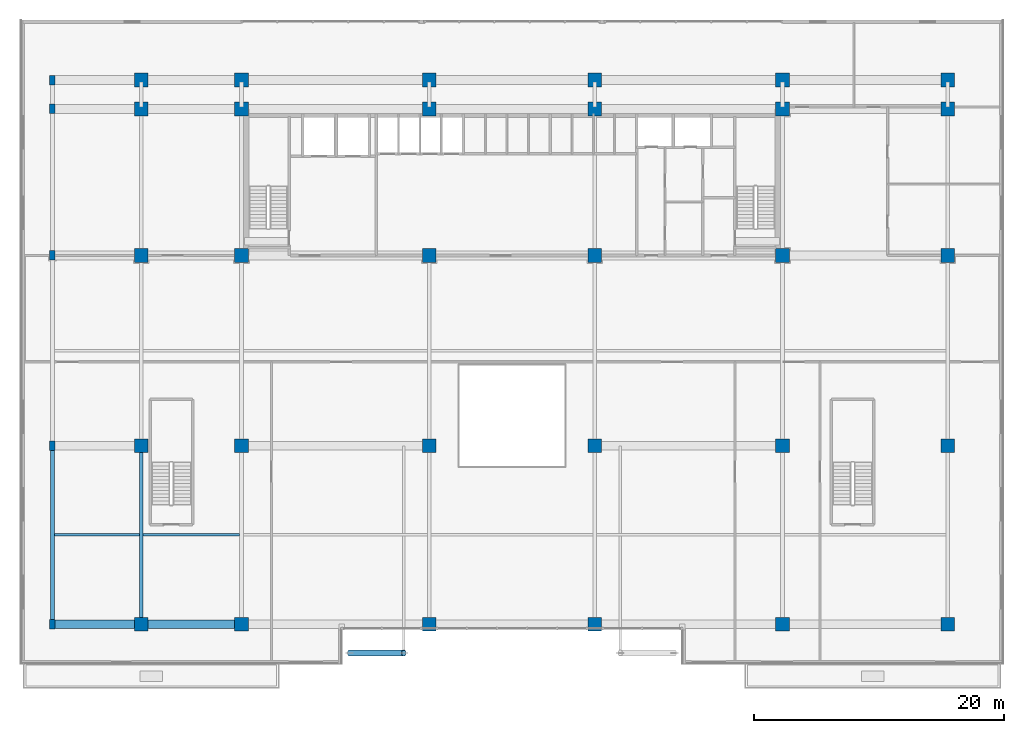
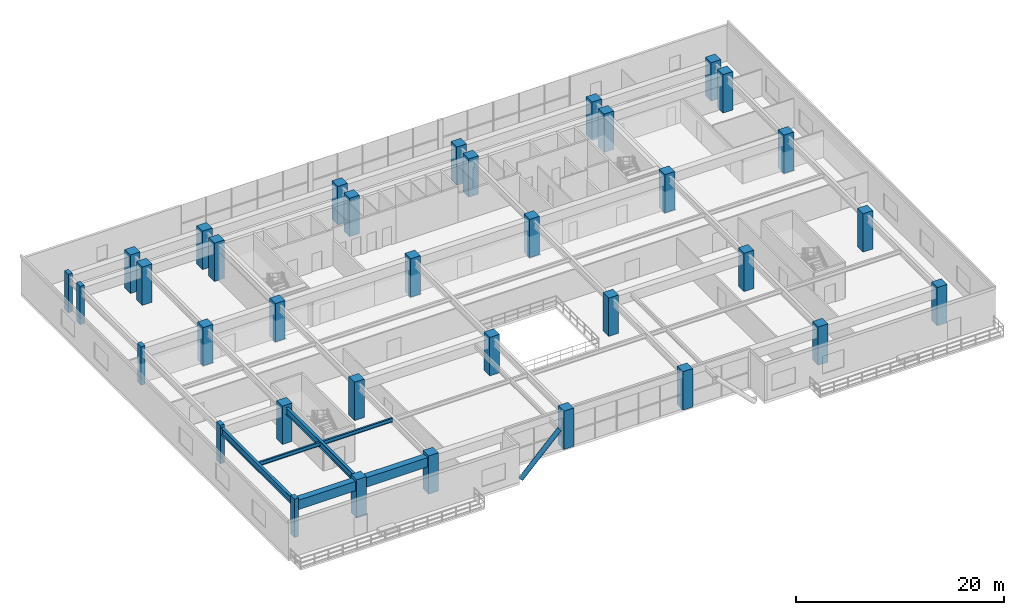
# One storey, part 1 of 24: 35 columns, 6 beams, 1 member.
"""IFC4 building model written with IfcOpenShell, lengths in metres."""

from ifc_helpers import new_model, si_unit, direction, frame, origin, origin_2d, place, context, subcontext, project, spatial, rectangle, hollow_circle, i_section, extrude, source, transform, mapped, material, material_profile, profile_set, type_object, element, save


model = new_model("IFC4")

# Units and contexts
model_context = context("Model", 3, precision=1e-05, world=origin(), true_north=direction((0.0, 1.0)))
body_context = subcontext(model_context, "Body", "Model", "MODEL_VIEW")
ifc_project = project(units=[si_unit("LENGTHUNIT", "METRE"), si_unit("AREAUNIT", "SQUARE_METRE"), si_unit("VOLUMEUNIT", "CUBIC_METRE"), si_unit("PLANEANGLEUNIT", "RADIAN"), si_unit("MASSUNIT", "GRAM", prefix="KILO")], contexts=[model_context])

# Site, building, storey
site_placement = place(None, origin())
site = spatial("IfcSite", under=ifc_project, at=site_placement, CompositionType="ELEMENT")
building_placement = place(site_placement, origin())
building = spatial("IfcBuilding", under=site, at=building_placement, Name="Trelvane Seafront Commons", CompositionType="ELEMENT")
storey_placement = place(building_placement, frame((0.0, 0.0, 9.699951171875)))
storey = spatial("IfcBuildingStorey", under=building, at=storey_placement, Name="L02", CompositionType="ELEMENT", Elevation=9.699951171875)

# Columns
ifc_material_1 = material(Name="Concrete C50/60", Category="concrete")
ifc_material_profile_1 = material_profile(ifc_material_1, rectangle(XDim=0.449951171875, YDim=0.75, at=origin_2d()), Name="RC-450x750")
ifc_profile_set_1 = profile_set([ifc_material_profile_1], Name="Concrete C50/60")
column_type_1 = type_object("IfcColumnType", Name="STR-PIL-RC450x750", PredefinedType="PILASTER", material=ifc_profile_set_1)
shared_shape_1 = source(origin(), body_context, "Body", "SweptSolid", [
    extrude(rectangle(XDim=0.449951171875, YDim=0.75, at=origin_2d()), origin(), (0.0, 0.0, 1.0), 4.5),
])
for number, where, z_axis, x_axis, name in (
    (1, (0.5, 3.949951171875, 0.0), (0.0, 0.0, 1.0), (1.0, 0.0, 0.0), "L02 Column PC-1-1"),
    (2, (0.5, 18.199951171875, 0.0), (0.0, 0.0, 1.0), (1.0, 0.0, 0.0), "L02 Column PC-1-2"),
    (3, (0.5, 33.39990234375, 0.0), (0.0, 0.0, 1.0), (1.0, 0.0, 0.0), "L02 Column PC-1-3"),
    (4, (0.5, 45.10009765625, 0.0), (0.0, 0.0, 1.0), (1.0, 0.0, 0.0), "L02 Column PC-1-4"),
    (5, (0.5, 47.39990234375, 0.0), (0.0, 0.0, 1.0), (1.0, 0.0, 0.0), "L02 Column PC-1-5"),
):
    element("IfcColumn", number, at=place(storey_placement, frame(where, z_axis=z_axis, x_axis=x_axis)), inside=storey, type_object=column_type_1, Name=name, PredefinedType="PILASTER", context=body_context, shape_type="MappedRepresentation", body=[
        mapped(shared_shape_1, transform((0.0, 0.0, 0.0), x_axis=(1.0, 0.0, 0.0), y_axis=(0.0, 1.0, 0.0), z_axis=(0.0, 0.0, 1.0), scale=1.0)),
    ])
ifc_material_2 = material(Name="Concrete C60/75", Category="concrete")
ifc_material_profile_2 = material_profile(ifc_material_2, rectangle(XDim=1.10009765625, YDim=1.10009765625, at=origin_2d()), Name="RC-1100x1100")
ifc_profile_set_2 = profile_set([ifc_material_profile_2], Name="Concrete C60/75")
column_type_2 = type_object("IfcColumnType", Name="STR-COL-RC1100", PredefinedType="COLUMN", material=ifc_profile_set_2)
shared_shape_2 = source(origin(), body_context, "Body", "SweptSolid", [
    extrude(rectangle(XDim=1.10009765625, YDim=1.10009765625, at=origin_2d()), origin(), (0.0, 0.0, 1.0), 4.5),
])
for number, where, z_axis, x_axis, name in (
    (6, (7.60009765625, 3.949951171875, 0.0), (0.0, 0.0, 1.0), (1.0, 0.0, 0.0), "L02 Column PC-2-1"),
    (7, (7.60009765625, 18.199951171875, 0.0), (0.0, 0.0, 1.0), (1.0, 0.0, 0.0), "L02 Column PC-2-2"),
    (8, (7.60009765625, 33.39990234375, 0.0), (0.0, 0.0, 1.0), (1.0, 0.0, 0.0), "L02 Column PC-2-3"),
    (9, (7.60009765625, 45.10009765625, 0.0), (0.0, 0.0, 1.0), (1.0, 0.0, 0.0), "L02 Column PC-2-4"),
    (10, (7.60009765625, 47.39990234375, 0.0), (0.0, 0.0, 1.0), (1.0, 0.0, 0.0), "L02 Column PC-2-5"),
    (11, (15.60009765625, 3.949951171875, 0.0), (0.0, 0.0, 1.0), (1.0, 0.0, 0.0), "L02 Column PC-3-1"),
    (12, (15.60009765625, 18.199951171875, 0.0), (0.0, 0.0, 1.0), (1.0, 0.0, 0.0), "L02 Column PC-3-2"),
    (13, (15.60009765625, 33.39990234375, 0.0), (0.0, 0.0, 1.0), (1.0, 0.0, 0.0), "L02 Column PC-3-3"),
    (14, (15.60009765625, 45.10009765625, 0.0), (0.0, 0.0, 1.0), (1.0, 0.0, 0.0), "L02 Column PC-3-4"),
    (15, (15.60009765625, 47.39990234375, 0.0), (0.0, 0.0, 1.0), (1.0, 0.0, 0.0), "L02 Column PC-3-5"),
    (16, (30.60009765625, 3.949951171875, 0.0), (0.0, 0.0, 1.0), (1.0, 0.0, 0.0), "L02 Column PC-4-1"),
    (17, (30.60009765625, 18.199951171875, 0.0), (0.0, 0.0, 1.0), (1.0, 0.0, 0.0), "L02 Column PC-4-2"),
    (18, (30.60009765625, 33.39990234375, 0.0), (0.0, 0.0, 1.0), (1.0, 0.0, 0.0), "L02 Column PC-4-3"),
    (19, (30.60009765625, 45.10009765625, 0.0), (0.0, 0.0, 1.0), (1.0, 0.0, 0.0), "L02 Column PC-4-4"),
    (20, (30.60009765625, 47.39990234375, 0.0), (0.0, 0.0, 1.0), (1.0, 0.0, 0.0), "L02 Column PC-4-5"),
    (21, (43.800048828125, 3.949951171875, 0.0), (0.0, 0.0, 1.0), (1.0, 0.0, 0.0), "L02 Column PC-5-1"),
    (22, (43.800048828125, 18.199951171875, 0.0), (0.0, 0.0, 1.0), (1.0, 0.0, 0.0), "L02 Column PC-5-2"),
    (23, (43.800048828125, 33.39990234375, 0.0), (0.0, 0.0, 1.0), (1.0, 0.0, 0.0), "L02 Column PC-5-3"),
    (24, (43.800048828125, 45.10009765625, 0.0), (0.0, 0.0, 1.0), (1.0, 0.0, 0.0), "L02 Column PC-5-4"),
    (25, (43.800048828125, 47.39990234375, 0.0), (0.0, 0.0, 1.0), (1.0, 0.0, 0.0), "L02 Column PC-5-5"),
    (26, (58.800048828125, 3.949951171875, 0.0), (0.0, 0.0, 1.0), (1.0, 0.0, 0.0), "L02 Column PC-6-1"),
    (27, (58.800048828125, 18.199951171875, 0.0), (0.0, 0.0, 1.0), (1.0, 0.0, 0.0), "L02 Column PC-6-2"),
    (28, (58.800048828125, 33.39990234375, 0.0), (0.0, 0.0, 1.0), (1.0, 0.0, 0.0), "L02 Column PC-6-3"),
    (29, (58.800048828125, 45.10009765625, 0.0), (0.0, 0.0, 1.0), (1.0, 0.0, 0.0), "L02 Column PC-6-4"),
    (30, (58.800048828125, 47.39990234375, 0.0), (0.0, 0.0, 1.0), (1.0, 0.0, 0.0), "L02 Column PC-6-5"),
    (31, (72.0, 3.949951171875, 0.0), (0.0, 0.0, 1.0), (1.0, 0.0, 0.0), "L02 Column PC-7-1"),
    (32, (72.0, 18.199951171875, 0.0), (0.0, 0.0, 1.0), (1.0, 0.0, 0.0), "L02 Column PC-7-2"),
    (33, (72.0, 33.39990234375, 0.0), (0.0, 0.0, 1.0), (1.0, 0.0, 0.0), "L02 Column PC-7-3"),
    (34, (72.0, 45.10009765625, 0.0), (0.0, 0.0, 1.0), (1.0, 0.0, 0.0), "L02 Column PC-7-4"),
    (35, (72.0, 47.39990234375, 0.0), (0.0, 0.0, 1.0), (1.0, 0.0, 0.0), "L02 Column PC-7-5"),
):
    element("IfcColumn", number, at=place(storey_placement, frame(where, z_axis=z_axis, x_axis=x_axis)), inside=storey, type_object=column_type_2, Name=name, PredefinedType="COLUMN", context=body_context, shape_type="MappedRepresentation", body=[
        mapped(shared_shape_2, transform((0.0, 0.0, 0.0), x_axis=(1.0, 0.0, 0.0), y_axis=(0.0, 1.0, 0.0), z_axis=(0.0, 0.0, 1.0), scale=1.0)),
    ])

# Beams
ifc_material_profile_3 = material_profile(ifc_material_1, rectangle(XDim=0.699951171875, YDim=1.10009765625, at=origin_2d()), Name="RC-700x1100")
ifc_profile_set_3 = profile_set([ifc_material_profile_3], Name="Concrete C50/60")
beam_type_1 = type_object("IfcBeamType", Name="STR-TBM-RC700x1100", PredefinedType="T_BEAM", material=ifc_profile_set_3)
shared_shape_3 = source(origin(), body_context, "Body", "SweptSolid", [
    extrude(rectangle(XDim=0.699951171875, YDim=1.10009765625, at=origin_2d()), origin(), (0.0, 0.0, 1.0), 6.83740234375),
])
beam_1_placement = place(storey_placement, frame((0.612548828125, 3.949951171875, 3.650146484375), z_axis=(1.0, 0.0, 0.0), x_axis=(0.0, 1.0, 0.0)))
element("IfcBeam", 36, at=beam_1_placement, inside=storey, type_object=beam_type_1, Name="L02 Primary Girder G-01", PredefinedType="T_BEAM", context=body_context, shape_type="MappedRepresentation", body=[
    mapped(shared_shape_3, transform((0.0, 0.0, 0.0), x_axis=(1.0, 0.0, 0.0), y_axis=(0.0, 1.0, 0.0), z_axis=(0.0, 0.0, 1.0), scale=1.0)),
])
shared_shape_4 = source(origin(), body_context, "Body", "SweptSolid", [
    extrude(rectangle(XDim=0.699951171875, YDim=1.10009765625, at=origin_2d()), origin(), (0.0, 0.0, 1.0), 7.699951171875),
])
beam_2_placement = place(storey_placement, frame((7.75, 3.949951171875, 3.650146484375), z_axis=(1.0, 0.0, 0.0), x_axis=(0.0, 1.0, 0.0)))
element("IfcBeam", 37, at=beam_2_placement, inside=storey, type_object=beam_type_1, Name="L02 Primary Girder G-02", PredefinedType="T_BEAM", context=body_context, shape_type="MappedRepresentation", body=[
    mapped(shared_shape_4, transform((0.0, 0.0, 0.0), x_axis=(1.0, 0.0, 0.0), y_axis=(0.0, 1.0, 0.0), z_axis=(0.0, 0.0, 1.0), scale=1.0)),
])
ifc_material_3 = material(Name="Steel SM355 (S355)", Category="steel")
ifc_material_profile_4 = material_profile(ifc_material_3, i_section(OverallWidth=0.300048828125, OverallDepth=0.800048828125, WebThickness=0.013916015625, FlangeThickness=0.02587890625, at=origin_2d()), Name="H-800x300x14x26")
ifc_profile_set_4 = profile_set([ifc_material_profile_4], Name="Steel SM355 (S355)")
beam_type_2 = type_object("IfcBeamType", Name="STR-BM-H800", PredefinedType="BEAM", material=ifc_profile_set_4)
shared_shape_5 = source(origin(), body_context, "Body", "SweptSolid", [
    extrude(i_section(OverallWidth=0.300048828125, OverallDepth=0.800048828125, WebThickness=0.013916015625, FlangeThickness=0.02587890625, at=origin_2d()), origin(), (0.0, 0.0, 1.0), 13.949951171875),
])
for number, where, z_axis, x_axis, name in (
    (38, (0.5, 4.10009765625, 3.800048828125), (0.0, 1.0, 0.0), (-1.0, 0.0, 0.0), "L02 Primary Girder G-31"),
    (39, (7.60009765625, 4.10009765625, 3.800048828125), (0.0, 1.0, 0.0), (-1.0, 0.0, 0.0), "L02 Primary Girder G-35"),
):
    element("IfcBeam", number, at=place(storey_placement, frame(where, z_axis=z_axis, x_axis=x_axis)), inside=storey, type_object=beam_type_2, Name=name, PredefinedType="BEAM", context=body_context, shape_type="MappedRepresentation", body=[
        mapped(shared_shape_5, transform((0.0, 0.0, 0.0), x_axis=(1.0, 0.0, 0.0), y_axis=(0.0, 1.0, 0.0), z_axis=(0.0, 0.0, 1.0), scale=1.0)),
    ])
ifc_material_profile_5 = material_profile(ifc_material_3, i_section(OverallWidth=0.199951171875, OverallDepth=0.449951171875, WebThickness=0.009033203125, FlangeThickness=0.013916015625, at=origin_2d()), Name="H-450x200x9x14")
ifc_profile_set_5 = profile_set([ifc_material_profile_5], Name="Steel SM355 (S355)")
beam_type_3 = type_object("IfcBeamType", Name="STR-JST-H450", PredefinedType="JOIST", material=ifc_profile_set_5)
shared_shape_6 = source(origin(), body_context, "Body", "SweptSolid", [
    extrude(i_section(OverallWidth=0.199951171875, OverallDepth=0.449951171875, WebThickness=0.009033203125, FlangeThickness=0.013916015625, at=origin_2d()), origin(), (0.0, 0.0, 1.0), 6.800048828125),
])
beam_3_placement = place(storey_placement, frame((0.64990234375, 11.074951171875, 3.97509765625), z_axis=(1.0, 0.0, 0.0), x_axis=(0.0, 1.0, 0.0)))
element("IfcBeam", 40, at=beam_3_placement, inside=storey, type_object=beam_type_3, Name="L02 Secondary Floor Joist B-59", PredefinedType="JOIST", context=body_context, shape_type="MappedRepresentation", body=[
    mapped(shared_shape_6, transform((0.0, 0.0, 0.0), x_axis=(1.0, 0.0, 0.0), y_axis=(0.0, 1.0, 0.0), z_axis=(0.0, 0.0, 1.0), scale=1.0)),
])
shared_shape_7 = source(origin(), body_context, "Body", "SweptSolid", [
    extrude(i_section(OverallWidth=0.199951171875, OverallDepth=0.449951171875, WebThickness=0.009033203125, FlangeThickness=0.013916015625, at=origin_2d()), origin(), (0.0, 0.0, 1.0), 7.699951171875),
])
beam_4_placement = place(storey_placement, frame((7.75, 11.074951171875, 3.97509765625), z_axis=(1.0, 0.0, 0.0), x_axis=(0.0, 1.0, 0.0)))
element("IfcBeam", 41, at=beam_4_placement, inside=storey, type_object=beam_type_3, Name="L02 Secondary Floor Joist B-60", PredefinedType="JOIST", context=body_context, shape_type="MappedRepresentation", body=[
    mapped(shared_shape_7, transform((0.0, 0.0, 0.0), x_axis=(1.0, 0.0, 0.0), y_axis=(0.0, 1.0, 0.0), z_axis=(0.0, 0.0, 1.0), scale=1.0)),
])

# Member
ifc_material_profile_6 = material_profile(ifc_material_3, hollow_circle(Radius=0.25390625, WallThickness=0.02001953125, at=origin_2d()), Name="CHS-508x20")
ifc_profile_set_6 = profile_set([ifc_material_profile_6], Name="Steel SM355 (S355)")
member_type = type_object("IfcMemberType", Name="STR-STR-CHS508", PredefinedType="STRUT", material=ifc_profile_set_6)
shared_shape_8 = source(origin(), body_context, "Body", "SweptSolid", [
    extrude(hollow_circle(Radius=0.25390625, WallThickness=0.02001953125, at=origin_2d()), origin(), (0.0, 0.0, 1.0), 6.130615234375),
])
member_placement = place(storey_placement, frame((24.239990234375, 1.64990234375, -0.349853515625), z_axis=(0.704673386832, 0.0, 0.709531830076), x_axis=(0.0, 1.0, 0.0)))
element("IfcMember", 42, at=member_placement, inside=storey, type_object=member_type, Name="L02 Base Inverted-V Portal Mega-Strut VP-W", PredefinedType="STRUT", context=body_context, shape_type="MappedRepresentation", body=[
    mapped(shared_shape_8, transform((0.0, 0.0, 0.0), x_axis=(1.0, 0.0, 0.0), y_axis=(0.0, 1.0, 0.0), z_axis=(0.0, 0.0, 1.0), scale=1.0)),
])

save(model, "model.ifc")
